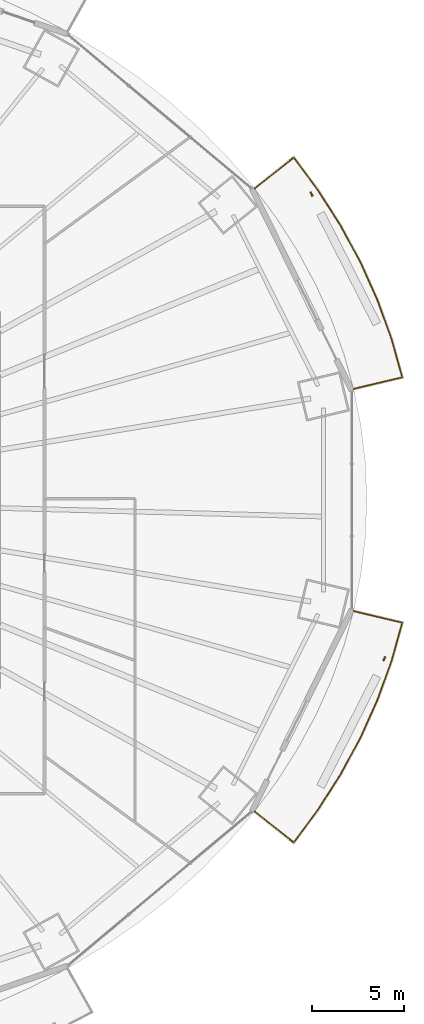
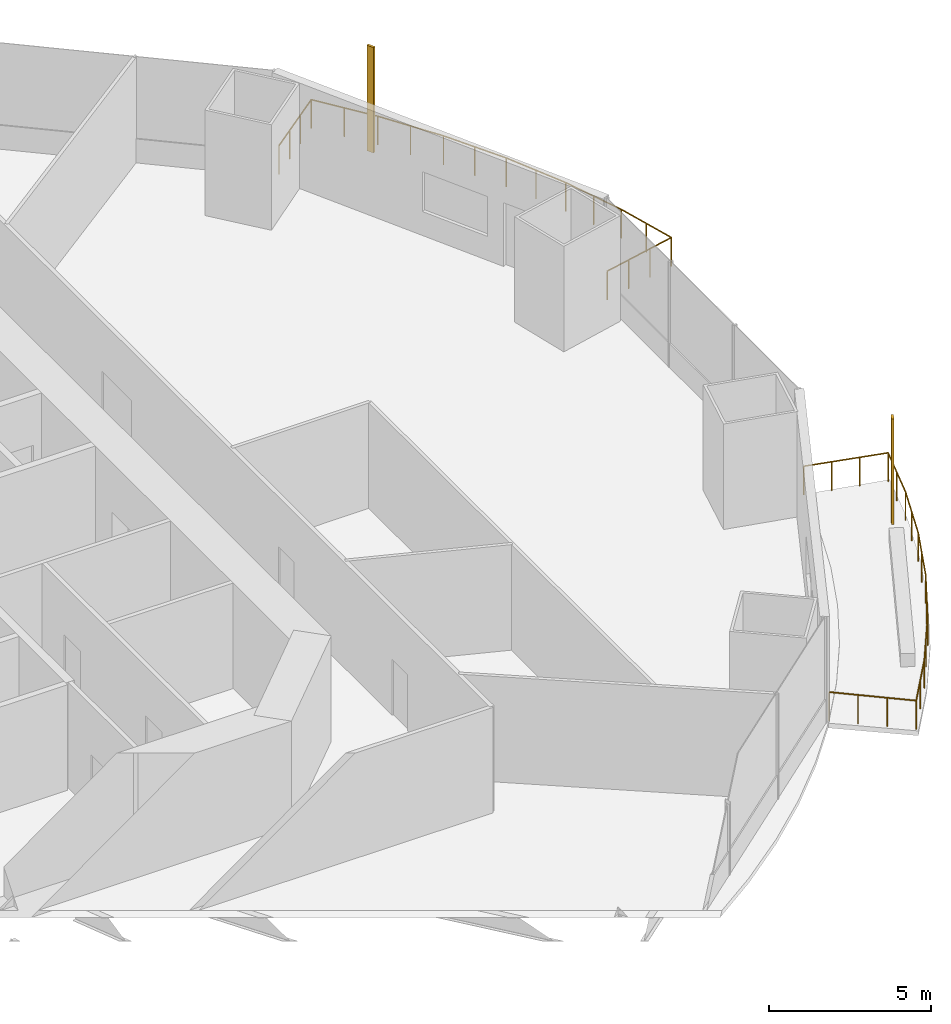
# One storey, part 22 of 23: 2 railings, 2 shading devices.
"""IFC4 building model written with IfcOpenShell, lengths in metres."""

import ifcopenshell
import ifcopenshell.guid

model = None  # the IFC model being written
_history = None  # IfcOwnerHistory: only IFC2X3 demands one
_inside = {}  # id of a spatial element -> (the spatial element, [elements in it])
_under = {}  # id of a project, library or spatial element -> (it, [spatial elements below it])
_declared = {}  # id of a project -> (the project, [libraries it declares])
_typed = {}  # id of a type object -> (the type object, [elements of that type])
_made_of = {}  # id of a material, layer set ... -> (it, [elements and type objects made of it])


def new_model(schema):
    """Start an empty IFC model of exactly this schema.

    Asked for "IFC4X3", IfcOpenShell would pick the latest addendum, in which some entities
    have other attributes; the version numbers below select the first issue.
    IFC2X3 requires an IfcOwnerHistory on every rooted entity: one is made here for all.
    """
    global model, _history
    if schema == "IFC4X3":
        model = ifcopenshell.file(schema_version=(4, 3, 0, 0))
    else:
        model = ifcopenshell.file(schema=schema)
    _inside.clear()
    _under.clear()
    _declared.clear()
    _typed.clear()
    _made_of.clear()
    _history = None
    if model.schema == "IFC2X3":
        org = make("IfcOrganization", Name="unknown")
        user = make(
            "IfcPersonAndOrganization",
            ThePerson=make("IfcPerson", FamilyName="unknown"),
            TheOrganization=org,
        )
        app = make(
            "IfcApplication",
            ApplicationDeveloper=org,
            Version="unknown",
            ApplicationFullName="unknown",
            ApplicationIdentifier="unknown",
        )
        _history = make(
            "IfcOwnerHistory",
            OwningUser=user,
            OwningApplication=app,
            ChangeAction="ADDED",
            CreationDate=0,
        )
    return model


def make(cls, **values):
    """One entity of the class cls with the attributes given. An attribute that is None is left unset."""
    return model.create_entity(
        cls, **{name: value for name, value in values.items() if value is not None}
    )


def rooted(cls, **values):
    """An entity with a GlobalId (a new one), such as an element, a storey or a relation."""
    return make(cls, GlobalId=ifcopenshell.guid.new(), OwnerHistory=_history, **values)


def si_unit(unit_type, name, prefix=None):
    """IfcSIUnit, for example si_unit("LENGTHUNIT", "METRE", prefix="MILLI")."""
    return make("IfcSIUnit", UnitType=unit_type, Prefix=prefix, Name=name)


def assignment(units):
    """IfcUnitAssignment: the units of a project."""
    return None if units is None else make("IfcUnitAssignment", Units=units)


def point(xyz):
    """IfcCartesianPoint."""
    return None if xyz is None else make("IfcCartesianPoint", Coordinates=xyz)


def direction(xyz):
    """IfcDirection."""
    return None if xyz is None else make("IfcDirection", DirectionRatios=xyz)


def frame(location, z_axis=None, x_axis=None):
    """IfcAxis2Placement3D, a coordinate frame: its origin and axes. An axis left out is left unset."""
    return make(
        "IfcAxis2Placement3D",
        Location=point(location),
        Axis=direction(z_axis),
        RefDirection=direction(x_axis),
    )


def frame_2d(location, x_axis=None):
    """IfcAxis2Placement2D, a coordinate frame in the plane: its origin and x axis."""
    return make(
        "IfcAxis2Placement2D", Location=point(location), RefDirection=direction(x_axis)
    )


def origin():
    """The frame at (0, 0, 0) with its axes left unset."""
    return frame((0.0, 0.0, 0.0))


def origin_2d():
    """The frame at (0, 0) in the plane with its x axis left unset."""
    return frame_2d((0.0, 0.0))


def place(relative_to, where):
    """IfcLocalPlacement: puts the frame where relative to a parent placement (None: the world)."""
    return make(
        "IfcLocalPlacement", PlacementRelTo=relative_to, RelativePlacement=where
    )


def context(
    kind, dimensions, precision=None, world=None, true_north=None, identifier=None
):
    """IfcGeometricRepresentationContext, for example the 3D "Model" context."""
    return make(
        "IfcGeometricRepresentationContext",
        ContextIdentifier=identifier,
        ContextType=kind,
        CoordinateSpaceDimension=dimensions,
        Precision=precision,
        WorldCoordinateSystem=world,
        TrueNorth=true_north,
    )


def subcontext(parent, identifier, kind, view, scale=None):
    """IfcGeometricRepresentationSubContext, for example "Body" below "Model"."""
    return make(
        "IfcGeometricRepresentationSubContext",
        ContextIdentifier=identifier,
        ContextType=kind,
        ParentContext=parent,
        TargetScale=scale,
        TargetView=view,
    )


def project(units=None, contexts=None):
    """IfcProject with its units and contexts."""
    return rooted(
        "IfcProject",
        Name="project",
        RepresentationContexts=contexts,
        UnitsInContext=assignment(units),
    )


def spatial(cls, under=None, at=None, **own):
    """A site, building, storey or space (cls), placed at a placement, below another one or the project."""
    s = rooted(cls, ObjectPlacement=at, **own)
    if under is not None:
        _under.setdefault(under.id(), (under, []))[1].append(s)
    return s


def profile(cls, at=None, kind="AREA", **sizes):
    """A parametric profile (cls). Its sizes go by their IFC names, for example OverallWidth=200.0."""
    return make(cls, ProfileType=kind, Position=at, **sizes)


def rectangle(**sizes):
    """IfcRectangleProfileDef."""
    return profile("IfcRectangleProfileDef", **sizes)


def circle(**sizes):
    """IfcCircleProfileDef."""
    return profile("IfcCircleProfileDef", **sizes)


def extrude(swept, where, along, depth):
    """IfcExtrudedAreaSolid: the profile swept, set in the frame where, extruded along a direction by depth."""
    return make(
        "IfcExtrudedAreaSolid",
        SweptArea=swept,
        Position=where,
        ExtrudedDirection=direction(along),
        Depth=depth,
    )


def shape(context_of_items, identifier, shape_type, items):
    """IfcShapeRepresentation: the items that make up one representation, for example the "Body"."""
    return make(
        "IfcShapeRepresentation",
        ContextOfItems=context_of_items,
        RepresentationIdentifier=identifier,
        RepresentationType=shape_type,
        Items=items,
    )


def material(Name=None, Category=None):
    """IfcMaterial."""
    return make("IfcMaterial", Name=Name, Category=Category)


def material_profile(
    of_material, cross_section, Name=None, Category=None, Priority=None
):
    """IfcMaterialProfile: a cross section and its material."""
    return make(
        "IfcMaterialProfile",
        Name=Name,
        Material=of_material,
        Profile=cross_section,
        Priority=Priority,
        Category=Category,
    )


def profile_set(profiles, Name=None, composite=None):
    """IfcMaterialProfileSet."""
    return make(
        "IfcMaterialProfileSet",
        Name=Name,
        MaterialProfiles=profiles,
        CompositeProfile=composite,
    )


def made_of(thing, what):
    """Note that an element or type object is made of a material, layer set ...; save() writes the relation."""
    if what is not None:
        _made_of.setdefault(what.id(), (what, []))[1].append(thing)
    return thing


def type_object(cls, material=None, **own):
    """A type object (cls), such as IfcWallType, which elements share."""
    return made_of(rooted(cls, **own), material)


def element(
    cls,
    number,
    at=None,
    inside=None,
    cuts=None,
    type_object=None,
    material=None,
    context=None,
    identifier="Body",
    shape_type=None,
    held_by="IfcProductDefinitionShape",
    body=None,
    shapes=None,
    **own,
):
    """One element of the class cls, such as IfcWall. Its Tag is "e" and its number.

    at: its placement. inside: the storey or other place that contains it. cuts: it is an
    opening in that element (IfcRelVoidsElement). A single representation is given by context,
    identifier, shape_type and body (its items); several are given by shapes. held_by: the class
    of the entity that holds the representations. save() writes the other relations.
    """
    e = rooted(cls, Tag="e%d" % number, ObjectPlacement=at, **own)
    if body is not None:
        shapes = [shape(context, identifier, shape_type, body)]
    if shapes is not None:
        e.Representation = make(held_by, Representations=shapes)
    if inside is not None:
        _inside.setdefault(inside.id(), (inside, []))[1].append(e)
    if cuts is not None:
        rooted(
            "IfcRelVoidsElement", RelatingBuildingElement=cuts, RelatedOpeningElement=e
        )
    if type_object is not None:
        _typed.setdefault(type_object.id(), (type_object, []))[1].append(e)
    return made_of(e, material)


def aggregate(whole, parts):
    """IfcRelAggregates: a whole, such as a stair, and the parts it consists of."""
    return rooted("IfcRelAggregates", RelatingObject=whole, RelatedObjects=parts)


def save(model, path):
    """Write the relations noted so far, then the file.

    IfcRelAggregates (storeys below a building ...), IfcRelContainedInSpatialStructure (elements
    in a storey), IfcRelDefinesByType, IfcRelAssociatesMaterial and IfcRelDeclares: one each for
    every whole, place, type object, material and project.
    """
    for whole, parts in _under.values():
        aggregate(whole, parts)
    for where, things in _inside.values():
        rooted(
            "IfcRelContainedInSpatialStructure",
            RelatedElements=things,
            RelatingStructure=where,
        )
    for kind, things in _typed.values():
        rooted("IfcRelDefinesByType", RelatedObjects=things, RelatingType=kind)
    for what, things in _made_of.values():
        rooted("IfcRelAssociatesMaterial", RelatedObjects=things, RelatingMaterial=what)
    for by, libraries in _declared.values():
        rooted("IfcRelDeclares", RelatingContext=by, RelatedDefinitions=libraries)
    model.write(path)


model = new_model("IFC4")

# Units and contexts
model_context = context("Model", 3, precision=1e-05, world=origin(), true_north=direction((0.0, 1.0)))
body_context = subcontext(model_context, "Body", "Model", "MODEL_VIEW")
ifc_project = project(units=[si_unit("LENGTHUNIT", "METRE"), si_unit("AREAUNIT", "SQUARE_METRE"), si_unit("VOLUMEUNIT", "CUBIC_METRE"), si_unit("PLANEANGLEUNIT", "RADIAN"), si_unit("MASSUNIT", "GRAM", prefix="KILO")], contexts=[model_context])

# Site, building, storey
site_placement = place(None, origin())
site = spatial("IfcSite", under=ifc_project, at=site_placement, CompositionType="ELEMENT")
building_placement = place(site_placement, origin())
building = spatial("IfcBuilding", under=site, at=building_placement, Name="Marenthal Gate Tower", CompositionType="ELEMENT")
storey_placement = place(building_placement, frame((0.0, 0.0, 45.449951171875)))
storey = spatial("IfcBuildingStorey", under=building, at=storey_placement, Name="L07", CompositionType="ELEMENT", Elevation=45.449951171875)

# Railings
ifc_material_1 = material(Name="Stainless steel", Category="steel")
railing_type = type_object("IfcRailingType", Name="Balcony guard 1100", PredefinedType="GUARDRAIL", material=ifc_material_1)
railing_1_placement = place(storey_placement, frame((30.44677734375, 16.957275390625, 0.0)))
element("IfcRailing", 1, at=railing_1_placement, inside=storey, type_object=railing_type, Name="Balcony guard L07 bay 1", PredefinedType="GUARDRAIL", context=body_context, shape_type="SweptSolid", body=[
    extrude(circle(Radius=0.02392578125, at=origin_2d()), frame((0.0, 0.0, 1.076171875), z_axis=(0.782017214913, 0.623083029968, -0.014717790136), x_axis=(-0.623150524983, 0.782101926358, 0.0)), (0.0, 0.0, 1.0), 2.720458984375),
    extrude(circle(Radius=0.02392578125, at=origin_2d()), frame((2.12744140625, 1.695068359375, 1.0361328125), z_axis=(0.594837345743, -0.803846087326, 0.0), x_axis=(0.803846087326, 0.594837345743, 0.0)), (0.0, 0.0, 1.0), 2.22998046875),
    extrude(circle(Radius=0.02392578125, at=origin_2d()), frame((3.453857421875, -0.097412109375, 1.0361328125), z_axis=(0.537716445458, -0.843125746425, 0.0), x_axis=(0.843125746425, 0.537716445458, 0.0)), (0.0, 0.0, 1.0), 2.291015625),
    extrude(circle(Radius=0.02392578125, at=origin_2d()), frame((4.685791015625, -2.029052734375, 1.0361328125), z_axis=(0.475629312141, -0.879645813628, 0.0), x_axis=(0.879645813628, 0.475629312141, 0.0)), (0.0, 0.0, 1.0), 2.27392578125),
    extrude(circle(Radius=0.02392578125, at=origin_2d()), frame((5.767333984375, -4.029296875, 1.0361328125), z_axis=(0.409595910935, -0.912267060539, 0.0), x_axis=(0.912267060539, 0.409595910935, 0.0)), (0.0, 0.0, 1.0), 2.258544921875),
    extrude(circle(Radius=0.02392578125, at=origin_2d()), frame((6.6923828125, -6.089599609375, 1.0361328125), z_axis=(0.340363176703, -0.940294053977, 0.0), x_axis=(0.940294053977, 0.340363176703, 0.0)), (0.0, 0.0, 1.0), 2.2451171875),
    extrude(circle(Radius=0.02392578125, at=origin_2d()), frame((7.45654296875, -8.20068359375, 1.0361328125), z_axis=(0.269402906993, -0.963027556046, 0.0), x_axis=(0.963027556046, 0.269402906993, 0.0)), (0.0, 0.0, 1.0), 2.154052734375),
    extrude(circle(Radius=0.02392578125, at=origin_2d()), frame((8.036865234375, -10.275146484375, 1.0361328125), z_axis=(-0.972906523904, -0.230729884047, 0.014717892254), x_axis=(0.230754878041, -0.973011914758, 0.0)), (0.0, 0.0, 1.0), 2.720458984375),
    extrude(circle(Radius=0.02099609375, at=origin_2d()), origin(), (0.0, 0.0, 1.0), 1.052001953125),
    extrude(circle(Radius=0.02099609375, at=origin_2d()), frame((0.709228515625, 0.56494140625, -0.013427734375)), (0.0, 0.0, 1.0), 1.052001953125),
    extrude(circle(Radius=0.02099609375, at=origin_2d()), frame((1.418212890625, 1.130126953125, -0.026611328125)), (0.0, 0.0, 1.0), 1.052001953125),
    extrude(circle(Radius=0.02099609375, at=origin_2d()), frame((2.12744140625, 1.695068359375, -0.0400390625)), (0.0, 0.0, 1.0), 1.052001953125),
    extrude(circle(Radius=0.02099609375, at=origin_2d()), frame((2.79052734375, 0.798828125, -0.0400390625)), (0.0, 0.0, 1.0), 1.052001953125),
    extrude(circle(Radius=0.02099609375, at=origin_2d()), frame((3.453857421875, -0.097412109375, -0.0400390625)), (0.0, 0.0, 1.0), 1.052001953125),
    extrude(circle(Radius=0.02099609375, at=origin_2d()), frame((4.06982421875, -1.063232421875, -0.0400390625)), (0.0, 0.0, 1.0), 1.052001953125),
    extrude(circle(Radius=0.02099609375, at=origin_2d()), frame((4.685791015625, -2.029052734375, -0.0400390625)), (0.0, 0.0, 1.0), 1.052001953125),
    extrude(circle(Radius=0.02099609375, at=origin_2d()), frame((5.2265625, -3.029296875, -0.0400390625)), (0.0, 0.0, 1.0), 1.052001953125),
    extrude(circle(Radius=0.02099609375, at=origin_2d()), frame((5.767333984375, -4.029296875, -0.0400390625)), (0.0, 0.0, 1.0), 1.052001953125),
    extrude(circle(Radius=0.02099609375, at=origin_2d()), frame((6.22998046875, -5.0595703125, -0.0400390625)), (0.0, 0.0, 1.0), 1.052001953125),
    extrude(circle(Radius=0.02099609375, at=origin_2d()), frame((6.6923828125, -6.089599609375, -0.0400390625)), (0.0, 0.0, 1.0), 1.052001953125),
    extrude(circle(Radius=0.02099609375, at=origin_2d()), frame((7.074462890625, -7.14501953125, -0.0400390625)), (0.0, 0.0, 1.0), 1.052001953125),
    extrude(circle(Radius=0.02099609375, at=origin_2d()), frame((7.45654296875, -8.20068359375, -0.0400390625)), (0.0, 0.0, 1.0), 1.052001953125),
    extrude(circle(Radius=0.02099609375, at=origin_2d()), frame((7.74658203125, -9.23779296875, -0.0400390625)), (0.0, 0.0, 1.0), 1.052001953125),
    extrude(circle(Radius=0.02099609375, at=origin_2d()), frame((8.036865234375, -10.275146484375, -0.0400390625)), (0.0, 0.0, 1.0), 1.052001953125),
    extrude(circle(Radius=0.02099609375, at=origin_2d()), frame((7.154541015625, -10.484375, -0.026611328125)), (0.0, 0.0, 1.0), 1.052001953125),
    extrude(circle(Radius=0.02099609375, at=origin_2d()), frame((6.2724609375, -10.693603515625, -0.013427734375)), (0.0, 0.0, 1.0), 1.052001953125),
    extrude(circle(Radius=0.02099609375, at=origin_2d()), frame((5.39013671875, -10.90283203125, 0.0)), (0.0, 0.0, 1.0), 1.052001953125),
])
railing_2_placement = place(storey_placement, frame((35.8369140625, -6.054443359375, 0.0)))
element("IfcRailing", 2, at=railing_2_placement, inside=storey, type_object=railing_type, Name="Balcony guard L07 bay 15", PredefinedType="GUARDRAIL", context=body_context, shape_type="SweptSolid", body=[
    extrude(circle(Radius=0.02392578125, at=origin_2d()), frame((0.0, 0.0, 1.076171875), z_axis=(0.972906523904, -0.230729884047, -0.014717892254), x_axis=(0.230754878041, 0.973011914758, 0.0)), (0.0, 0.0, 1.0), 2.720458984375),
    extrude(circle(Radius=0.02392578125, at=origin_2d()), frame((2.646728515625, -0.627685546875, 1.0361328125), z_axis=(-0.269402906993, -0.963027556046, 0.0), x_axis=(0.963027556046, -0.269402906993, 0.0)), (0.0, 0.0, 1.0), 2.154052734375),
    extrude(circle(Radius=0.02392578125, at=origin_2d()), frame((2.06640625, -2.7021484375, 1.0361328125), z_axis=(-0.340363176703, -0.940294053977, 0.0), x_axis=(0.940294053977, -0.340363176703, 0.0)), (0.0, 0.0, 1.0), 2.2451171875),
    extrude(circle(Radius=0.02392578125, at=origin_2d()), frame((1.30224609375, -4.813232421875, 1.0361328125), z_axis=(-0.409595910935, -0.912267060539, 0.0), x_axis=(0.912267060539, -0.409595910935, 0.0)), (0.0, 0.0, 1.0), 2.258544921875),
    extrude(circle(Radius=0.02392578125, at=origin_2d()), frame((0.377197265625, -6.87353515625, 1.0361328125), z_axis=(-0.475629312141, -0.879645813628, 0.0), x_axis=(0.879645813628, -0.475629312141, 0.0)), (0.0, 0.0, 1.0), 2.27392578125),
    extrude(circle(Radius=0.02392578125, at=origin_2d()), frame((-0.704345703125, -8.873779296875, 1.0361328125), z_axis=(-0.537716445458, -0.843125746425, 0.0), x_axis=(0.843125746425, -0.537716445458, 0.0)), (0.0, 0.0, 1.0), 2.291015625),
    extrude(circle(Radius=0.02392578125, at=origin_2d()), frame((-1.936279296875, -10.805419921875, 1.0361328125), z_axis=(-0.594837345743, -0.803846087326, 0.0), x_axis=(0.803846087326, -0.594837345743, 0.0)), (0.0, 0.0, 1.0), 2.22998046875),
    extrude(circle(Radius=0.02392578125, at=origin_2d()), frame((-3.2626953125, -12.597900390625, 1.0361328125), z_axis=(-0.782017214913, 0.623083029968, 0.014717790136), x_axis=(-0.623150524983, -0.782101926358, 0.0)), (0.0, 0.0, 1.0), 2.720458984375),
    extrude(circle(Radius=0.02099609375, at=origin_2d()), origin(), (0.0, 0.0, 1.0), 1.052001953125),
    extrude(circle(Radius=0.02099609375, at=origin_2d()), frame((0.88232421875, -0.209228515625, -0.013427734375)), (0.0, 0.0, 1.0), 1.052001953125),
    extrude(circle(Radius=0.02099609375, at=origin_2d()), frame((1.764404296875, -0.41845703125, -0.026611328125)), (0.0, 0.0, 1.0), 1.052001953125),
    extrude(circle(Radius=0.02099609375, at=origin_2d()), frame((2.646728515625, -0.627685546875, -0.0400390625)), (0.0, 0.0, 1.0), 1.052001953125),
    extrude(circle(Radius=0.02099609375, at=origin_2d()), frame((2.3564453125, -1.6650390625, -0.0400390625)), (0.0, 0.0, 1.0), 1.052001953125),
    extrude(circle(Radius=0.02099609375, at=origin_2d()), frame((2.06640625, -2.7021484375, -0.0400390625)), (0.0, 0.0, 1.0), 1.052001953125),
    extrude(circle(Radius=0.02099609375, at=origin_2d()), frame((1.684326171875, -3.7578125, -0.0400390625)), (0.0, 0.0, 1.0), 1.052001953125),
    extrude(circle(Radius=0.02099609375, at=origin_2d()), frame((1.30224609375, -4.813232421875, -0.0400390625)), (0.0, 0.0, 1.0), 1.052001953125),
    extrude(circle(Radius=0.02099609375, at=origin_2d()), frame((0.83984375, -5.84326171875, -0.0400390625)), (0.0, 0.0, 1.0), 1.052001953125),
    extrude(circle(Radius=0.02099609375, at=origin_2d()), frame((0.377197265625, -6.87353515625, -0.0400390625)), (0.0, 0.0, 1.0), 1.052001953125),
    extrude(circle(Radius=0.02099609375, at=origin_2d()), frame((-0.16357421875, -7.87353515625, -0.0400390625)), (0.0, 0.0, 1.0), 1.052001953125),
    extrude(circle(Radius=0.02099609375, at=origin_2d()), frame((-0.704345703125, -8.873779296875, -0.0400390625)), (0.0, 0.0, 1.0), 1.052001953125),
    extrude(circle(Radius=0.02099609375, at=origin_2d()), frame((-1.3203125, -9.839599609375, -0.0400390625)), (0.0, 0.0, 1.0), 1.052001953125),
    extrude(circle(Radius=0.02099609375, at=origin_2d()), frame((-1.936279296875, -10.805419921875, -0.0400390625)), (0.0, 0.0, 1.0), 1.052001953125),
    extrude(circle(Radius=0.02099609375, at=origin_2d()), frame((-2.599609375, -11.70166015625, -0.0400390625)), (0.0, 0.0, 1.0), 1.052001953125),
    extrude(circle(Radius=0.02099609375, at=origin_2d()), frame((-3.2626953125, -12.597900390625, -0.0400390625)), (0.0, 0.0, 1.0), 1.052001953125),
    extrude(circle(Radius=0.02099609375, at=origin_2d()), frame((-3.971923828125, -12.032958984375, -0.026611328125)), (0.0, 0.0, 1.0), 1.052001953125),
    extrude(circle(Radius=0.02099609375, at=origin_2d()), frame((-4.680908203125, -11.4677734375, -0.013427734375)), (0.0, 0.0, 1.0), 1.052001953125),
    extrude(circle(Radius=0.02099609375, at=origin_2d()), frame((-5.39013671875, -10.90283203125, 0.0)), (0.0, 0.0, 1.0), 1.052001953125),
])

# Shading devices
ifc_material_2 = material(Name="Terracotta", Category="masonry")
ifc_material_profile = material_profile(ifc_material_2, rectangle(XDim=0.25, YDim=0.080078125, at=origin_2d()), Name="Terracotta baguette 250x80")
ifc_profile_set = profile_set([ifc_material_profile], Name="Terracotta")
shading_device_type = type_object("IfcShadingDeviceType", Name="Terracotta BAGUETTE SCREEN 250x80", PredefinedType="USERDEFINED", material=ifc_profile_set)
for number, where, z_axis, x_axis, name in (
    (3, (33.545654296875, 16.658935546875, -0.0400390625), (0.0, 0.0, 1.0), (-0.44305812807, 0.89649288628, 0.0), "Terracotta BAGUETTE L07 bay 1R"),
    (4, (37.507080078125, -8.643310546875, -0.0400390625), (0.0, 0.0, 1.0), (0.44305812807, 0.89649288628, 0.0), "Terracotta BAGUETTE L07 bay 15R"),
):
    element("IfcShadingDevice", number, at=place(storey_placement, frame(where, z_axis=z_axis, x_axis=x_axis)), inside=storey, type_object=shading_device_type, Name=name, ObjectType="BAGUETTE SCREEN", PredefinedType="USERDEFINED", context=body_context, shape_type="SweptSolid", body=[
        extrude(rectangle(XDim=0.25, YDim=0.080078125, at=origin_2d()), origin(), (0.0, 0.0, 1.0), 3.969970703125),
    ])

save(model, "model.ifc")
